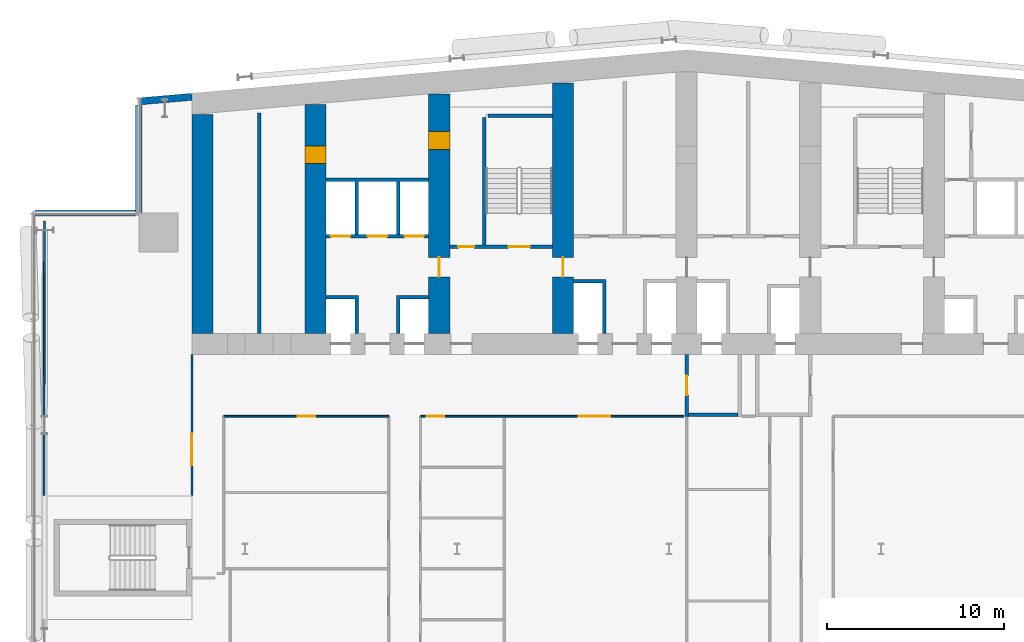
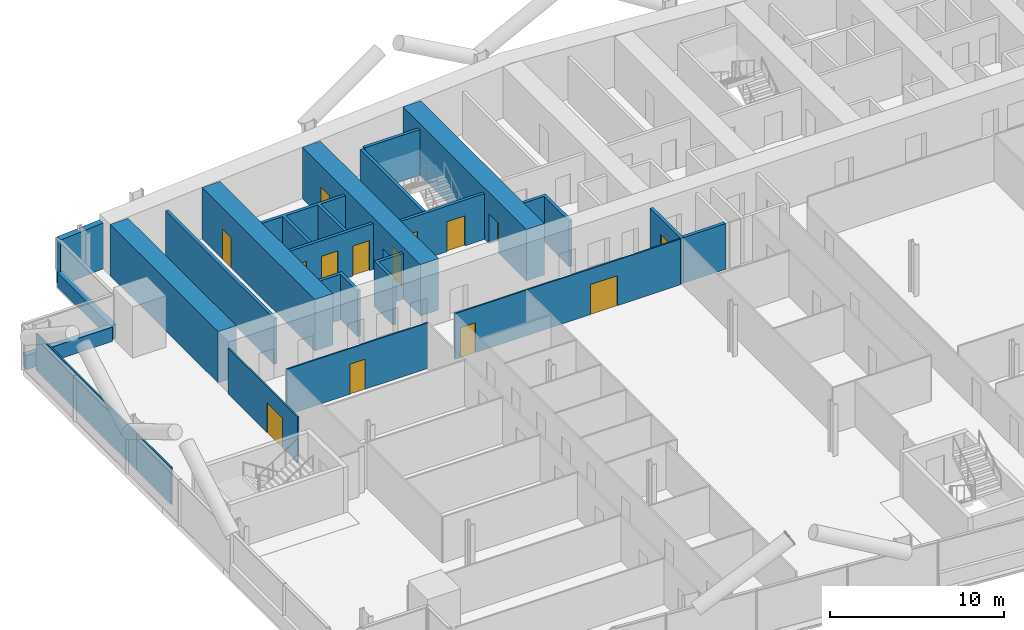
# One storey, part 15 of 27: 23 walls, 14 doors, 14 openings.
"""IFC4 building model written with IfcOpenShell, lengths in metres."""

from ifc_helpers import new_model, si_unit, direction, frame, frame_2d, origin, place, context, subcontext, project, spatial, polyline, rectangle, outline, extrude, material, layer, layer_set, type_object, element, fill, save


model = new_model("IFC4")

# Units and contexts
model_context = context("Model", 3, precision=1e-05, world=origin(), true_north=direction((0.0, 1.0)))
body_context = subcontext(model_context, "Body", "Model", "MODEL_VIEW")
ifc_project = project(units=[si_unit("LENGTHUNIT", "METRE"), si_unit("AREAUNIT", "SQUARE_METRE"), si_unit("VOLUMEUNIT", "CUBIC_METRE"), si_unit("PLANEANGLEUNIT", "RADIAN"), si_unit("MASSUNIT", "GRAM", prefix="KILO")], contexts=[model_context])

# Site, building, storey
site_placement = place(None, origin())
site = spatial("IfcSite", under=ifc_project, at=site_placement, CompositionType="ELEMENT")
building_placement = place(site_placement, origin())
building = spatial("IfcBuilding", under=site, at=building_placement, Name="Wharfspan Tower", CompositionType="ELEMENT")
storey_placement = place(building_placement, frame((0.0, 0.0, 81.100098)))
storey = spatial("IfcBuildingStorey", under=building, at=storey_placement, Name="L17", CompositionType="ELEMENT", Elevation=81.100098)

# Wall, opening, door
ifc_material_1 = material(Name="Gypsum board on steel studs", Category="steel")
ifc_layer_1 = layer(ifc_material_1, 0.100098)
ifc_layer_set_1 = layer_set([ifc_layer_1], Name="Gypsum board on steel studs")
wall_type_1 = type_object("IfcWallType", Name="Compartment wall 100 EI 60", PredefinedType="PARTITIONING", material=ifc_layer_set_1)
wall_1_placement = place(storey_placement, frame((9.0, 26.02002, 0.0), z_axis=(0.0, 0.0, 1.0), x_axis=(0.0, 1.0, 0.0)))
wall_1 = element("IfcWall", 1, at=wall_1_placement, inside=storey, type_object=wall_type_1, Name="Partition L17.w006", PredefinedType="PARTITIONING", context=body_context, shape_type="SweptSolid", body=[
    extrude(rectangle(XDim=7.959961, YDim=0.100098, at=frame_2d((3.97998, 0.0))), origin(), (0.0, 0.0, 1.0), 3.199951),
])
opening_1_placement = place(wall_1_placement, frame((1.699951, 0.0, 0.0)))
opening_1 = element("IfcOpeningElement", 2, at=opening_1_placement, cuts=wall_1, Name="Opening A4-28", PredefinedType="OPENING", context=body_context, shape_type="SweptSolid", body=[
    extrude(rectangle(XDim=1.800049, YDim=2.100098, at=frame_2d((0.899902, 1.050049))), frame((0.0, 0.060059, 0.0), z_axis=(0.0, -1.0, 0.0), x_axis=(1.0, 0.0, 0.0)), (0.0, 0.0, 1.0), 0.120117),
])
ifc_material_2 = material(Name="Fire-rated timber door leaf in steel frame", Category="steel")
door_type_1 = type_object("IfcDoorType", Name="Door 1800 FD30S Double", OperationType="DOUBLE_DOOR_SINGLE_SWING", PredefinedType="DOOR", material=ifc_material_2)
door_1_placement = place(opening_1_placement, origin())
door_1 = element("IfcDoor", 3, at=door_1_placement, inside=storey, type_object=door_type_1, Name="Door A4-28", OperationType="DOUBLE_DOOR_SINGLE_SWING", OverallHeight=2.100098, OverallWidth=1.800049, PredefinedType="DOOR", context=body_context, shape_type="SweptSolid", body=[
    extrude(rectangle(XDim=1.800049, YDim=2.100098, at=frame_2d((0.899902, 1.050049))), frame((0.0, 0.024902, 0.0), z_axis=(0.0, -1.0, 0.0), x_axis=(1.0, 0.0, 0.0)), (0.0, 0.0, 1.0), 0.050049),
])
fill(opening_1, door_1)

wall_2_placement = place(storey_placement, frame((10.800049, 30.5, 0.0), z_axis=(0.0, 0.0, 1.0), x_axis=(1.0, 0.0, 0.0)))
wall_2 = element("IfcWall", 4, at=wall_2_placement, inside=storey, type_object=wall_type_1, Name="Partition L17.w012", PredefinedType="PARTITIONING", context=body_context, shape_type="SweptSolid", body=[
    extrude(rectangle(XDim=9.339844, YDim=0.100098, at=frame_2d((4.669922, 0.0))), origin(), (0.0, 0.0, 1.0), 3.199951),
])
opening_2_placement = place(wall_2_placement, frame((4.185059, 0.0, 0.0)))
opening_2 = element("IfcOpeningElement", 5, at=opening_2_placement, cuts=wall_2, Name="Opening A4-30", PredefinedType="OPENING", context=body_context, shape_type="SweptSolid", body=[
    extrude(rectangle(XDim=1.0, YDim=2.100098, at=frame_2d((0.5, 1.050049))), frame((0.0, 0.060059, 0.0), z_axis=(0.0, -1.0, 0.0), x_axis=(1.0, 0.0, 0.0)), (0.0, 0.0, 1.0), 0.120117),
])
door_type_2 = type_object("IfcDoorType", Name="Door 1000 FD30S Right", OperationType="SINGLE_SWING_RIGHT", PredefinedType="DOOR", material=ifc_material_2)
door_2_placement = place(opening_2_placement, origin())
door_2 = element("IfcDoor", 6, at=door_2_placement, inside=storey, type_object=door_type_2, Name="Door A4-30", OperationType="SINGLE_SWING_RIGHT", OverallHeight=2.100098, OverallWidth=1.0, PredefinedType="DOOR", context=body_context, shape_type="SweptSolid", body=[
    extrude(rectangle(XDim=1.0, YDim=2.100098, at=frame_2d((0.5, 1.050049))), frame((0.0, 0.024902, 0.0), z_axis=(0.0, -1.0, 0.0), x_axis=(1.0, 0.0, 0.0)), (0.0, 0.0, 1.0), 0.050049),
])
fill(opening_2, door_2)

# Wall, openings, doors
wall_3_placement = place(storey_placement, frame((21.939941, 30.5, 0.0), z_axis=(0.0, 0.0, 1.0), x_axis=(1.0, 0.0, 0.0)))
wall_3 = element("IfcWall", 7, at=wall_3_placement, inside=storey, type_object=wall_type_1, Name="Partition L17.w026", PredefinedType="PARTITIONING", context=body_context, shape_type="SweptSolid", body=[
    extrude(rectangle(XDim=14.910156, YDim=0.100098, at=frame_2d((7.455078, 0.0))), origin(), (0.0, 0.0, 1.0), 3.199951),
])
opening_3_placement = place(wall_3_placement, frame((0.344971, 0.0, 0.0)))
opening_3 = element("IfcOpeningElement", 8, at=opening_3_placement, cuts=wall_3, Name="Opening A4-31", PredefinedType="OPENING", context=body_context, shape_type="SweptSolid", body=[
    extrude(rectangle(XDim=1.0, YDim=2.100098, at=frame_2d((0.5, 1.050049))), frame((0.0, 0.060059, 0.0), z_axis=(0.0, -1.0, 0.0), x_axis=(1.0, 0.0, 0.0)), (0.0, 0.0, 1.0), 0.120117),
])
opening_4_placement = place(wall_3_placement, frame((8.949951, 0.0, 0.0)))
opening_4 = element("IfcOpeningElement", 9, at=opening_4_placement, cuts=wall_3, Name="Opening A4-32", PredefinedType="OPENING", context=body_context, shape_type="SweptSolid", body=[
    extrude(rectangle(XDim=1.800049, YDim=2.100098, at=frame_2d((0.899902, 1.050049))), frame((0.0, 0.060059, 0.0), z_axis=(0.0, -1.0, 0.0), x_axis=(1.0, 0.0, 0.0)), (0.0, 0.0, 1.0), 0.120117),
])
door_type_3 = type_object("IfcDoorType", Name="Door 1000 FD30S Left", OperationType="SINGLE_SWING_LEFT", PredefinedType="DOOR", material=ifc_material_2)
door_3_placement = place(opening_3_placement, origin())
door_3 = element("IfcDoor", 10, at=door_3_placement, inside=storey, type_object=door_type_3, Name="Door A4-31", OperationType="SINGLE_SWING_LEFT", OverallHeight=2.100098, OverallWidth=1.0, PredefinedType="DOOR", context=body_context, shape_type="SweptSolid", body=[
    extrude(rectangle(XDim=1.0, YDim=2.100098, at=frame_2d((0.5, 1.050049))), frame((0.0, 0.024902, 0.0), z_axis=(0.0, -1.0, 0.0), x_axis=(1.0, 0.0, 0.0)), (0.0, 0.0, 1.0), 0.050049),
])
fill(opening_3, door_3)
door_4_placement = place(opening_4_placement, origin())
door_4 = element("IfcDoor", 11, at=door_4_placement, inside=storey, type_object=door_type_1, Name="Door A4-32", OperationType="DOUBLE_DOOR_SINGLE_SWING", OverallHeight=2.100098, OverallWidth=1.800049, PredefinedType="DOOR", context=body_context, shape_type="SweptSolid", body=[
    extrude(rectangle(XDim=1.800049, YDim=2.100098, at=frame_2d((0.899902, 1.050049))), frame((0.0, 0.024902, 0.0), z_axis=(0.0, -1.0, 0.0), x_axis=(1.0, 0.0, 0.0)), (0.0, 0.0, 1.0), 0.050049),
])
fill(opening_4, door_4)

# Walls
ifc_material_3 = material(Name="Calcium silicate masonry", Category="masonry")
ifc_layer_2 = layer(ifc_material_3, 0.199951)
ifc_layer_set_2 = layer_set([ifc_layer_2], Name="Calcium silicate masonry")
wall_type_2 = type_object("IfcWallType", Name="Core room wall 200", PredefinedType="PARTITIONING", material=ifc_layer_set_2)
wall_4_placement = place(storey_placement, frame((12.800049, 35.199951, 0.0), z_axis=(0.0, 0.0, 1.0), x_axis=(0.0, 1.0, 0.0)))
element("IfcWall", 12, at=wall_4_placement, inside=storey, type_object=wall_type_2, Name="sw:L17:RM0", PredefinedType="PARTITIONING", context=body_context, shape_type="SweptSolid", body=[
    extrude(rectangle(XDim=12.467773, YDim=0.199951, at=frame_2d((6.233887, 0.0))), origin(), (0.0, 0.0, 1.0), 3.199951),
])
ifc_material_4 = material(Name="Concrete C70/85", Category="concrete")
ifc_layer_3 = layer(ifc_material_4, 1.199951)
ifc_layer_set_3 = layer_set([ifc_layer_3], Name="Concrete C70/85")
wall_type_3 = type_object("IfcWallType", Name="Core wall 1200 C70/85", PredefinedType="SHEAR", material=ifc_layer_set_3)
wall_5_placement = place(storey_placement, frame((9.600098, 35.199951, 0.0), z_axis=(0.0, 0.0, 1.0), x_axis=(0.0, 1.0, 0.0)))
element("IfcWall", 13, at=wall_5_placement, inside=storey, type_object=wall_type_3, Name="Core cross wall EW0 L17", PredefinedType="SHEAR", context=body_context, shape_type="SweptSolid", body=[
    extrude(rectangle(XDim=12.382812, YDim=1.199951, at=frame_2d((6.191406, 0.0))), origin(), (0.0, 0.0, 1.0), 3.599854),
])

# Wall, opening, door
wall_6_placement = place(storey_placement, frame((16.0, 35.199951, 0.0), z_axis=(0.0, 0.0, 1.0), x_axis=(0.0, 1.0, 0.0)))
wall_6 = element("IfcWall", 14, at=wall_6_placement, inside=storey, type_object=wall_type_3, Name="Core cross wall X1 L17", PredefinedType="SHEAR", context=body_context, shape_type="SweptSolid", body=[
    extrude(rectangle(XDim=12.942871, YDim=1.199951, at=frame_2d((6.471436, 0.0))), origin(), (0.0, 0.0, 1.0), 3.599854),
])
opening_5_placement = place(wall_6_placement, frame((9.600098, 0.0, 0.0)))
opening_5 = element("IfcOpeningElement", 15, at=opening_5_placement, cuts=wall_6, Name="Opening CR17.1", PredefinedType="OPENING", context=body_context, shape_type="SweptSolid", body=[
    extrude(rectangle(XDim=1.0, YDim=2.100098, at=frame_2d((0.5, 1.050049))), frame((0.0, 0.609863, 0.0), z_axis=(0.0, -1.0, 0.0), x_axis=(1.0, 0.0, 0.0)), (0.0, 0.0, 1.0), 1.219971),
])
ifc_material_5 = material(Name="Steel door leaf", Category="steel")
door_type_4 = type_object("IfcDoorType", Name="Core room door 1000x2100", OperationType="SINGLE_SWING_LEFT", PredefinedType="DOOR", material=ifc_material_5)
door_5_placement = place(opening_5_placement, origin())
door_5 = element("IfcDoor", 16, at=door_5_placement, inside=storey, type_object=door_type_4, Name="xr:L17:1", OperationType="SINGLE_SWING_RIGHT", OverallHeight=2.100098, OverallWidth=1.0, PredefinedType="DOOR", context=body_context, shape_type="SweptSolid", body=[
    extrude(rectangle(XDim=1.0, YDim=2.100098, at=frame_2d((0.5, 1.050049))), frame((0.0, 0.599609, 0.0), z_axis=(0.0, -1.0, 0.0), x_axis=(1.0, 0.0, 0.0)), (0.0, 0.0, 1.0), 1.199463),
])
fill(opening_5, door_5)

# Wall, openings, doors
wall_7_placement = place(storey_placement, frame((23.0, 35.199951, 0.0), z_axis=(0.0, 0.0, 1.0), x_axis=(0.0, 1.0, 0.0)))
wall_7 = element("IfcWall", 17, at=wall_7_placement, inside=storey, type_object=wall_type_3, Name="Core cross wall X2 L17", PredefinedType="SHEAR", context=body_context, shape_type="SweptSolid", body=[
    extrude(rectangle(XDim=13.555176, YDim=1.199951, at=frame_2d((6.777588, 0.0))), origin(), (0.0, 0.0, 1.0), 3.599854),
])
opening_6_placement = place(wall_7_placement, frame((10.413818, 0.0, 0.0)))
opening_6 = element("IfcOpeningElement", 18, at=opening_6_placement, cuts=wall_7, Name="Opening CD17.1X", PredefinedType="OPENING", context=body_context, shape_type="SweptSolid", body=[
    extrude(rectangle(XDim=1.0, YDim=2.100098, at=frame_2d((0.5, 1.050049))), frame((0.0, 0.609863, 0.0), z_axis=(0.0, -1.0, 0.0), x_axis=(1.0, 0.0, 0.0)), (0.0, 0.0, 1.0), 1.219971),
])
opening_7_placement = place(wall_7_placement, frame((3.199951, 0.0, 0.0)))
opening_7 = element("IfcOpeningElement", 19, at=opening_7_placement, cuts=wall_7, Name="Opening CC17.2", PredefinedType="OPENING", context=body_context, shape_type="SweptSolid", body=[
    extrude(rectangle(XDim=1.100098, YDim=2.100098, at=frame_2d((0.550049, 1.050049))), frame((0.0, 0.609863, 0.0), z_axis=(0.0, -1.0, 0.0), x_axis=(1.0, 0.0, 0.0)), (0.0, 0.0, 1.0), 1.219971),
])
door_type_5 = type_object("IfcDoorType", Name="Core corridor door 1100x2100", OperationType="SINGLE_SWING_LEFT", PredefinedType="DOOR", material=ifc_material_5)
door_6_placement = place(opening_7_placement, origin())
door_6 = element("IfcDoor", 20, at=door_6_placement, inside=storey, type_object=door_type_5, Name="xd:L17:2", OperationType="SINGLE_SWING_RIGHT", OverallHeight=2.100098, OverallWidth=1.100098, PredefinedType="DOOR", context=body_context, shape_type="SweptSolid", body=[
    extrude(rectangle(XDim=1.100098, YDim=2.100098, at=frame_2d((0.550049, 1.050049))), frame((0.0, 0.024902, 0.0), z_axis=(0.0, -1.0, 0.0), x_axis=(1.0, 0.0, 0.0)), (0.0, 0.0, 1.0), 0.050049),
])
fill(opening_7, door_6)
door_7_placement = place(opening_6_placement, origin())
door_7 = element("IfcDoor", 21, at=door_7_placement, inside=storey, type_object=door_type_4, Name="d:L17:1:sx", OperationType="SINGLE_SWING_LEFT", OverallHeight=2.100098, OverallWidth=1.0, PredefinedType="DOOR", context=body_context, shape_type="SweptSolid", body=[
    extrude(rectangle(XDim=1.0, YDim=2.100098, at=frame_2d((0.5, 1.050049))), frame((0.0, 0.599609, 0.0), z_axis=(0.0, -1.0, 0.0), x_axis=(1.0, 0.0, 0.0)), (0.0, 0.0, 1.0), 1.199463),
])
fill(opening_6, door_7)

# Wall, opening, door
wall_8_placement = place(storey_placement, frame((30.0, 35.199951, 0.0), z_axis=(0.0, 0.0, 1.0), x_axis=(0.0, 1.0, 0.0)))
wall_8 = element("IfcWall", 22, at=wall_8_placement, inside=storey, type_object=wall_type_3, Name="Core cross wall X3 L17", PredefinedType="SHEAR", context=body_context, shape_type="SweptSolid", body=[
    extrude(rectangle(XDim=14.167725, YDim=1.199951, at=frame_2d((7.083984, 0.0))), origin(), (0.0, 0.0, 1.0), 3.599854),
])
opening_8_placement = place(wall_8_placement, frame((3.199951, 0.0, 0.0)))
opening_8 = element("IfcOpeningElement", 23, at=opening_8_placement, cuts=wall_8, Name="Opening CC17.3", PredefinedType="OPENING", context=body_context, shape_type="SweptSolid", body=[
    extrude(rectangle(XDim=1.100098, YDim=2.100098, at=frame_2d((0.550049, 1.050049))), frame((0.0, 0.609863, 0.0), z_axis=(0.0, -1.0, 0.0), x_axis=(1.0, 0.0, 0.0)), (0.0, 0.0, 1.0), 1.219971),
])
door_8_placement = place(opening_8_placement, origin())
door_8 = element("IfcDoor", 24, at=door_8_placement, inside=storey, type_object=door_type_5, Name="xd:L17:3", OperationType="SINGLE_SWING_LEFT", OverallHeight=2.100098, OverallWidth=1.100098, PredefinedType="DOOR", context=body_context, shape_type="SweptSolid", body=[
    extrude(rectangle(XDim=1.100098, YDim=2.100098, at=frame_2d((0.550049, 1.050049))), frame((0.0, 0.024902, 0.0), z_axis=(0.0, -1.0, 0.0), x_axis=(1.0, 0.0, 0.0)), (0.0, 0.0, 1.0), 0.050049),
])
fill(opening_8, door_8)

# Wall, openings, doors
ifc_material_6 = material(Name="Concrete C30/37", Category="concrete")
ifc_layer_4 = layer(ifc_material_6, 0.199951)
ifc_layer_set_4 = layer_set([ifc_layer_4], Name="Concrete C30/37")
wall_type_4 = type_object("IfcWallType", Name="Lift shaft wall 200", PredefinedType="PARTITIONING", material=ifc_layer_set_4)
wall_9_placement = place(storey_placement, frame((16.600098, 40.699951, 0.0), z_axis=(0.0, 0.0, 1.0), x_axis=(1.0, 0.0, 0.0)))
wall_9 = element("IfcWall", 25, at=wall_9_placement, inside=storey, type_object=wall_type_4, Name="sw:L17:RF1", PredefinedType="PARTITIONING", context=body_context, shape_type="SweptSolid", body=[
    extrude(rectangle(XDim=5.799805, YDim=0.199951, at=frame_2d((2.899902, 0.0))), origin(), (0.0, 0.0, 1.0), 3.199951),
])
opening_9_placement = place(wall_9_placement, frame((0.266602, 0.0, 0.0)))
opening_9 = element("IfcOpeningElement", 26, at=opening_9_placement, cuts=wall_9, Name="Opening LD.LA3.L17", PredefinedType="OPENING", context=body_context, shape_type="SweptSolid", body=[
    extrude(rectangle(XDim=1.100098, YDim=2.100098, at=frame_2d((0.550049, 1.050049))), frame((0.0, 0.109863, 0.0), z_axis=(0.0, -1.0, 0.0), x_axis=(1.0, 0.0, 0.0)), (0.0, 0.0, 1.0), 0.219971),
])
opening_10_placement = place(wall_9_placement, frame((2.350098, 0.0, 0.0)))
opening_10 = element("IfcOpeningElement", 27, at=opening_10_placement, cuts=wall_9, Name="Opening LD.LA4.L17", PredefinedType="OPENING", context=body_context, shape_type="SweptSolid", body=[
    extrude(rectangle(XDim=1.100098, YDim=2.100098, at=frame_2d((0.550049, 1.050049))), frame((0.0, 0.109863, 0.0), z_axis=(0.0, -1.0, 0.0), x_axis=(1.0, 0.0, 0.0)), (0.0, 0.0, 1.0), 0.219971),
])
opening_11_placement = place(wall_9_placement, frame((4.43335, 0.0, 0.0)))
opening_11 = element("IfcOpeningElement", 28, at=opening_11_placement, cuts=wall_9, Name="Opening LD.LA5.L17", PredefinedType="OPENING", context=body_context, shape_type="SweptSolid", body=[
    extrude(rectangle(XDim=1.100098, YDim=2.100098, at=frame_2d((0.550049, 1.050049))), frame((0.0, 0.109863, 0.0), z_axis=(0.0, -1.0, 0.0), x_axis=(1.0, 0.0, 0.0)), (0.0, 0.0, 1.0), 0.219971),
])
ifc_material_7 = material(Name="Stainless steel", Category="steel")
door_type_6 = type_object("IfcDoorType", Name="Lift landing door 1100x2100", OperationType="DOUBLE_DOOR_SLIDING", PredefinedType="DOOR", material=ifc_material_7)
door_9_placement = place(opening_9_placement, origin())
door_9 = element("IfcDoor", 29, at=door_9_placement, inside=storey, type_object=door_type_6, Name="Landing door LA3 L17", OperationType="DOUBLE_DOOR_SLIDING", OverallHeight=2.100098, OverallWidth=1.100098, PredefinedType="DOOR", context=body_context, shape_type="SweptSolid", body=[
    extrude(rectangle(XDim=1.100098, YDim=2.100098, at=frame_2d((0.550049, 1.050049))), frame((0.0, 0.024902, 0.0), z_axis=(0.0, -1.0, 0.0), x_axis=(1.0, 0.0, 0.0)), (0.0, 0.0, 1.0), 0.050049),
])
fill(opening_9, door_9)
door_10_placement = place(opening_10_placement, origin())
door_10 = element("IfcDoor", 30, at=door_10_placement, inside=storey, type_object=door_type_6, Name="Landing door LA4 L17", OperationType="DOUBLE_DOOR_SLIDING", OverallHeight=2.100098, OverallWidth=1.100098, PredefinedType="DOOR", context=body_context, shape_type="SweptSolid", body=[
    extrude(rectangle(XDim=1.100098, YDim=2.100098, at=frame_2d((0.550049, 1.050049))), frame((0.0, 0.024902, 0.0), z_axis=(0.0, -1.0, 0.0), x_axis=(1.0, 0.0, 0.0)), (0.0, 0.0, 1.0), 0.050049),
])
fill(opening_10, door_10)
door_11_placement = place(opening_11_placement, origin())
door_11 = element("IfcDoor", 31, at=door_11_placement, inside=storey, type_object=door_type_6, Name="Landing door LA5 L17", OperationType="DOUBLE_DOOR_SLIDING", OverallHeight=2.100098, OverallWidth=1.100098, PredefinedType="DOOR", context=body_context, shape_type="SweptSolid", body=[
    extrude(rectangle(XDim=1.100098, YDim=2.100098, at=frame_2d((0.550049, 1.050049))), frame((0.0, 0.024902, 0.0), z_axis=(0.0, -1.0, 0.0), x_axis=(1.0, 0.0, 0.0)), (0.0, 0.0, 1.0), 0.050049),
])
fill(opening_11, door_11)

# Walls
wall_10_placement = place(storey_placement, frame((0.0, 0.0, -0.000244)))
element("IfcWall", 32, at=wall_10_placement, inside=storey, type_object=wall_type_4, Name="sw:L17:FM1.0", PredefinedType="PARTITIONING", context=body_context, shape_type="SweptSolid", body=[
    extrude(outline(polyline([(18.233398, 37.149902), (16.600098, 37.149902), (16.600098, 37.350098), (18.233398, 37.350098), (18.43335, 37.350098), (18.43335, 35.199951), (18.233398, 35.199951), (18.233398, 37.149902)])), origin(), (0.0, 0.0, 1.0), 3.200195),
])
wall_11_placement = place(storey_placement, frame((0.0, 0.0, -0.000244)))
element("IfcWall", 33, at=wall_11_placement, inside=storey, type_object=wall_type_4, Name="sw:L17:FM1.1", PredefinedType="PARTITIONING", context=body_context, shape_type="SweptSolid", body=[
    extrude(outline(polyline([(20.56665, 37.350098), (20.766602, 37.350098), (22.399902, 37.350098), (22.399902, 37.149902), (20.766602, 37.149902), (20.766602, 35.199951), (20.56665, 35.199951), (20.56665, 37.350098)])), origin(), (0.0, 0.0, 1.0), 3.200195),
])
wall_12_placement = place(storey_placement, frame((0.0, 0.0, -0.000244)))
element("IfcWall", 34, at=wall_12_placement, inside=storey, type_object=wall_type_4, Name="sw:L17:RM1.0", PredefinedType="PARTITIONING", context=body_context, shape_type="SweptSolid", body=[
    extrude(outline(polyline([(18.43335, 40.800049), (18.233398, 40.800049), (18.233398, 43.800049), (16.600098, 43.800049), (16.600098, 44.0), (22.399902, 44.0), (22.399902, 43.800049), (20.766602, 43.800049), (20.766602, 40.800049), (20.56665, 40.800049), (20.56665, 43.800049), (18.43335, 43.800049), (18.43335, 40.800049)])), origin(), (0.0, 0.0, 1.0), 3.200195),
])
wall_13_placement = place(storey_placement, frame((0.0, 0.0, -0.000244)))
element("IfcWall", 35, at=wall_13_placement, inside=storey, type_object=wall_type_4, Name="sw:L17:FM3.0", PredefinedType="PARTITIONING", context=body_context, shape_type="SweptSolid", body=[
    extrude(outline(polyline([(32.233398, 38.050049), (30.600098, 38.050049), (30.600098, 38.25), (32.233398, 38.25), (32.43335, 38.25), (32.43335, 35.199951), (32.233398, 35.199951), (32.233398, 38.050049)])), origin(), (0.0, 0.0, 1.0), 3.200195),
])

# Wall, opening, door
ifc_layer_5 = layer(ifc_material_6, 0.199951)
ifc_layer_set_5 = layer_set([ifc_layer_5], Name="Concrete C30/37")
wall_type_5 = type_object("IfcWallType", Name="Lobby wall 200", PredefinedType="PARTITIONING", material=ifc_layer_set_5)
wall_14_placement = place(storey_placement, frame((37.0, 30.5, 0.0), z_axis=(0.0, 0.0, 1.0), x_axis=(0.0, 1.0, 0.0)))
wall_14 = element("IfcWall", 36, at=wall_14_placement, inside=storey, type_object=wall_type_5, Name="sw:L17:FLFF1W", PredefinedType="PARTITIONING", context=body_context, shape_type="SweptSolid", body=[
    extrude(rectangle(XDim=3.5, YDim=0.199951, at=frame_2d((1.75, 0.0))), origin(), (0.0, 0.0, 1.0), 3.199951),
])
opening_12_placement = place(wall_14_placement, frame((1.199951, 0.0, 0.0)))
opening_12 = element("IfcOpeningElement", 37, at=opening_12_placement, cuts=wall_14, Name="Opening FL.FF1.L17", PredefinedType="OPENING", context=body_context, shape_type="SweptSolid", body=[
    extrude(rectangle(XDim=1.100098, YDim=2.100098, at=frame_2d((0.550049, 1.050049))), frame((0.0, 0.109863, 0.0), z_axis=(0.0, -1.0, 0.0), x_axis=(1.0, 0.0, 0.0)), (0.0, 0.0, 1.0), 0.219971),
])
door_type_7 = type_object("IfcDoorType", Name="Firefighting lobby door 1100x2100", OperationType="SINGLE_SWING_LEFT", PredefinedType="DOOR", material=ifc_material_5)
door_12_placement = place(opening_12_placement, origin())
door_12 = element("IfcDoor", 38, at=door_12_placement, inside=storey, type_object=door_type_7, Name="fd:L17:FF1", OperationType="SINGLE_SWING_LEFT", OverallHeight=2.100098, OverallWidth=1.100098, PredefinedType="DOOR", context=body_context, shape_type="SweptSolid", body=[
    extrude(rectangle(XDim=1.100098, YDim=2.100098, at=frame_2d((0.550049, 1.050049))), frame((0.0, 0.024902, 0.0), z_axis=(0.0, -1.0, 0.0), x_axis=(1.0, 0.0, 0.0)), (0.0, 0.0, 1.0), 0.050049),
])
fill(opening_12, door_12)

# Walls
wall_15_placement = place(storey_placement, frame((37.100098, 30.600098, 0.0), z_axis=(0.0, 0.0, 1.0), x_axis=(1.0, 0.0, 0.0)))
element("IfcWall", 39, at=wall_15_placement, inside=storey, type_object=wall_type_5, Name="sw:L17:FLFF1F", PredefinedType="PARTITIONING", context=body_context, shape_type="SweptSolid", body=[
    extrude(rectangle(XDim=2.799805, YDim=0.199951, at=frame_2d((1.399902, 0.0))), origin(), (0.0, 0.0, 1.0), 3.199951),
])
ifc_layer_6 = layer(ifc_material_1, 0.100098)
ifc_layer_set_6 = layer_set([ifc_layer_6], Name="Gypsum board on steel studs")
wall_type_6 = type_object("IfcWallType", Name="Partition 100", PredefinedType="PARTITIONING", material=ifc_layer_set_6)
wall_16_placement = place(storey_placement, frame((0.629883, 26.02002, 0.0), z_axis=(0.0, 0.0, 1.0), x_axis=(0.0, 1.0, 0.0)))
element("IfcWall", 40, at=wall_16_placement, inside=storey, type_object=wall_type_6, Name="Partition L17.w002", PredefinedType="PARTITIONING", context=body_context, shape_type="SweptSolid", body=[
    extrude(rectangle(XDim=3.97998, YDim=0.100098, at=frame_2d((1.98999, 0.0))), origin(), (0.0, 0.0, 1.0), 2.579834),
])
wall_17_placement = place(storey_placement, frame((0.629883, 30.0, 0.0), z_axis=(0.0, 0.0, 1.0), x_axis=(0.00218, 0.999994, 0.0)))
element("IfcWall", 41, at=wall_17_placement, inside=storey, type_object=wall_type_6, Name="Partition L17.w003", PredefinedType="PARTITIONING", context=body_context, shape_type="SweptSolid", body=[
    extrude(rectangle(XDim=11.534912, YDim=0.100098, at=frame_2d((5.767578, 0.0))), origin(), (0.0, 0.0, 1.0), 2.579834),
])
ifc_material_8 = material(Name="Concrete C40/50", Category="concrete")
ifc_layer_7 = layer(ifc_material_8, 0.350098)
ifc_layer_set_7 = layer_set([ifc_layer_7], Name="Concrete C40/50")
wall_type_7 = type_object("IfcWallType", Name="SPANDREL EXPOSED CONCRETE 350", PredefinedType="SOLIDWALL", material=ifc_layer_set_7)
wall_18_placement = place(storey_placement, frame((5.995117, 48.126465, 0.0), z_axis=(0.0, 0.0, 1.0), x_axis=(0.0, -1.0, 0.0)))
element("IfcWall", 42, at=wall_18_placement, inside=storey, type_object=wall_type_7, Name="Spandrel upstand L17 NRW-V", PredefinedType="SOLIDWALL", context=body_context, shape_type="SweptSolid", body=[
    extrude(rectangle(XDim=6.126465, YDim=0.350098, at=frame_2d((3.063232, 0.0))), origin(), (0.0, 0.0, 1.0), 1.0),
])
wall_19_placement = place(storey_placement, frame((5.820068, 42.004883, 0.0), z_axis=(0.0, 0.0, 1.0), x_axis=(-1.0, 0.0, 0.0)))
element("IfcWall", 43, at=wall_19_placement, inside=storey, type_object=wall_type_7, Name="Spandrel upstand L17 NRW-H", PredefinedType="SOLIDWALL", context=body_context, shape_type="SweptSolid", body=[
    extrude(rectangle(XDim=5.699951, YDim=0.350098, at=frame_2d((2.850098, 0.0))), origin(), (0.0, 0.0, 1.0), 1.0),
])

# Wall, openings, doors
ifc_layer_8 = layer(ifc_material_8, 0.199951)
ifc_layer_set_8 = layer_set([ifc_layer_8], Name="Concrete C40/50")
wall_type_8 = type_object("IfcWallType", Name="Stair shaft wall 200", PredefinedType="SHEAR", material=ifc_layer_set_8)
wall_20_placement = place(storey_placement, frame((23.600098, 40.100098, 0.0), z_axis=(0.0, 0.0, 1.0), x_axis=(1.0, 0.0, 0.0)))
wall_20 = element("IfcWall", 44, at=wall_20_placement, inside=storey, type_object=wall_type_8, Name="ST1 stair enclosure wall L17", PredefinedType="SHEAR", context=body_context, shape_type="SweptSolid", body=[
    extrude(rectangle(XDim=5.799805, YDim=0.199951, at=frame_2d((2.899902, 0.0))), origin(), (0.0, 0.0, 1.0), 3.199951),
])
opening_13_placement = place(wall_20_placement, frame((3.324951, 0.0, 0.0)))
opening_13 = element("IfcOpeningElement", 45, at=opening_13_placement, cuts=wall_20, Name="Opening SD2.L17", PredefinedType="OPENING", context=body_context, shape_type="SweptSolid", body=[
    extrude(rectangle(XDim=1.199951, YDim=2.100098, at=frame_2d((0.600098, 1.050049))), frame((0.0, 0.109863, 0.0), z_axis=(0.0, -1.0, 0.0), x_axis=(1.0, 0.0, 0.0)), (0.0, 0.0, 1.0), 0.219971),
])
opening_14_placement = place(wall_20_placement, frame((0.475098, 0.0, 0.0)))
opening_14 = element("IfcOpeningElement", 46, at=opening_14_placement, cuts=wall_20, Name="Opening CD17.2R", PredefinedType="OPENING", context=body_context, shape_type="SweptSolid", body=[
    extrude(rectangle(XDim=0.899902, YDim=2.100098, at=frame_2d((0.449951, 1.050049))), frame((0.0, 0.109863, 0.0), z_axis=(0.0, -1.0, 0.0), x_axis=(1.0, 0.0, 0.0)), (0.0, 0.0, 1.0), 0.219971),
])
door_13_placement = place(opening_14_placement, origin())
door_13 = element("IfcDoor", 47, at=door_13_placement, inside=storey, type_object=door_type_4, Name="rk:L17:2", OperationType="SINGLE_SWING_LEFT", OverallHeight=2.100098, OverallWidth=0.899902, PredefinedType="DOOR", context=body_context, shape_type="SweptSolid", body=[
    extrude(rectangle(XDim=0.899902, YDim=2.100098, at=frame_2d((0.449951, 1.050049))), frame((0.0, 0.024902, 0.0), z_axis=(0.0, -1.0, 0.0), x_axis=(1.0, 0.0, 0.0)), (0.0, 0.0, 1.0), 0.050049),
])
fill(opening_14, door_13)
door_type_8 = type_object("IfcDoorType", Name="Stair door 1200x2100", OperationType="SINGLE_SWING_LEFT", PredefinedType="DOOR", material=ifc_material_5)
door_14_placement = place(opening_13_placement, origin())
door_14 = element("IfcDoor", 48, at=door_14_placement, inside=storey, type_object=door_type_8, Name="sd:L17:2", OperationType="SINGLE_SWING_RIGHT", OverallHeight=2.100098, OverallWidth=1.199951, PredefinedType="DOOR", context=body_context, shape_type="SweptSolid", body=[
    extrude(rectangle(XDim=1.199951, YDim=2.100098, at=frame_2d((0.600098, 1.050049))), frame((0.0, 0.024902, 0.0), z_axis=(0.0, -1.0, 0.0), x_axis=(1.0, 0.0, 0.0)), (0.0, 0.0, 1.0), 0.050049),
])
fill(opening_13, door_14)

# Walls
wall_21_placement = place(storey_placement, frame((25.550049, 40.199951, 0.0), z_axis=(0.0, 0.0, 1.0), x_axis=(0.0, 1.0, 0.0)))
element("IfcWall", 49, at=wall_21_placement, inside=storey, type_object=wall_type_8, Name="ST1 stair enclosure wall L17", PredefinedType="SHEAR", context=body_context, shape_type="SweptSolid", body=[
    extrude(rectangle(XDim=7.199951, YDim=0.199951, at=frame_2d((3.600098, 0.0))), origin(), (0.0, 0.0, 1.0), 3.199951),
])
wall_22_placement = place(storey_placement, frame((25.75, 47.5, 0.0), z_axis=(0.0, 0.0, 1.0), x_axis=(1.0, 0.0, 0.0)))
element("IfcWall", 50, at=wall_22_placement, inside=storey, type_object=wall_type_8, Name="ST1 stair enclosure wall L17", PredefinedType="SHEAR", context=body_context, shape_type="SweptSolid", body=[
    extrude(rectangle(XDim=3.649902, YDim=0.199951, at=frame_2d((1.824951, 0.0))), origin(), (0.0, 0.0, 1.0), 3.199951),
])
ifc_layer_9 = layer(ifc_material_8, 0.399902)
ifc_layer_set_9 = layer_set([ifc_layer_9], Name="Concrete C40/50")
wall_type_9 = type_object("IfcWallType", Name="WALL EXPOSED CONCRETE 400", PredefinedType="SOLIDWALL", material=ifc_layer_set_9)
wall_23_placement = place(storey_placement, frame((9.0, 48.58667, 0.0), z_axis=(0.0, 0.0, 1.0), x_axis=(-0.996194, -0.087168, 0.0)))
element("IfcWall", 51, at=wall_23_placement, inside=storey, type_object=wall_type_9, Name="Rear wall N1", PredefinedType="SOLIDWALL", context=body_context, shape_type="SweptSolid", body=[
    extrude(rectangle(XDim=2.994141, YDim=0.399902, at=frame_2d((1.49707, 0.0))), origin(), (0.0, 0.0, 1.0), 3.199951),
])

save(model, "model.ifc")
